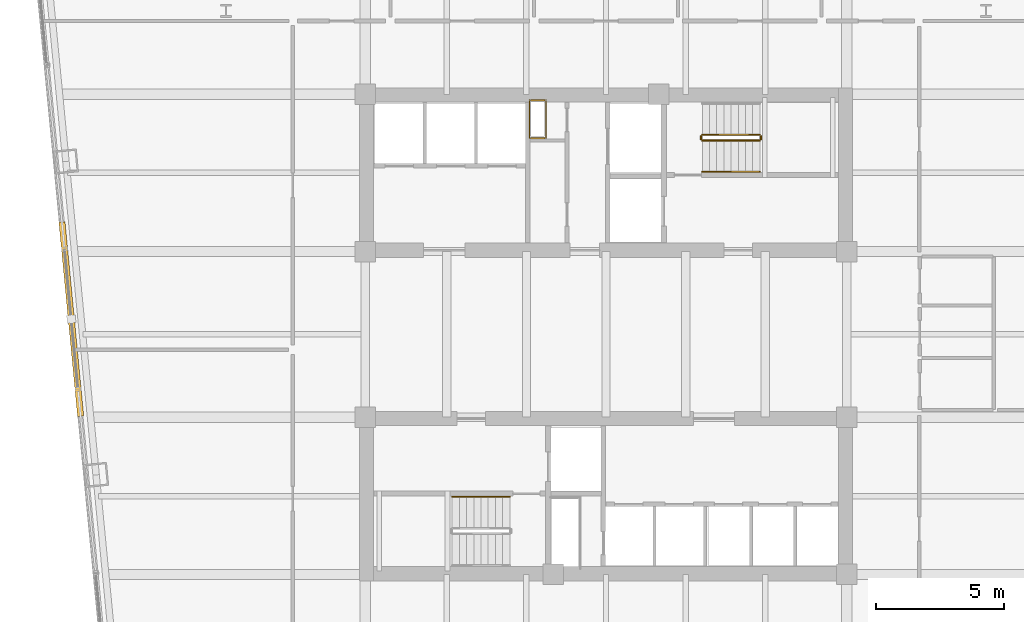
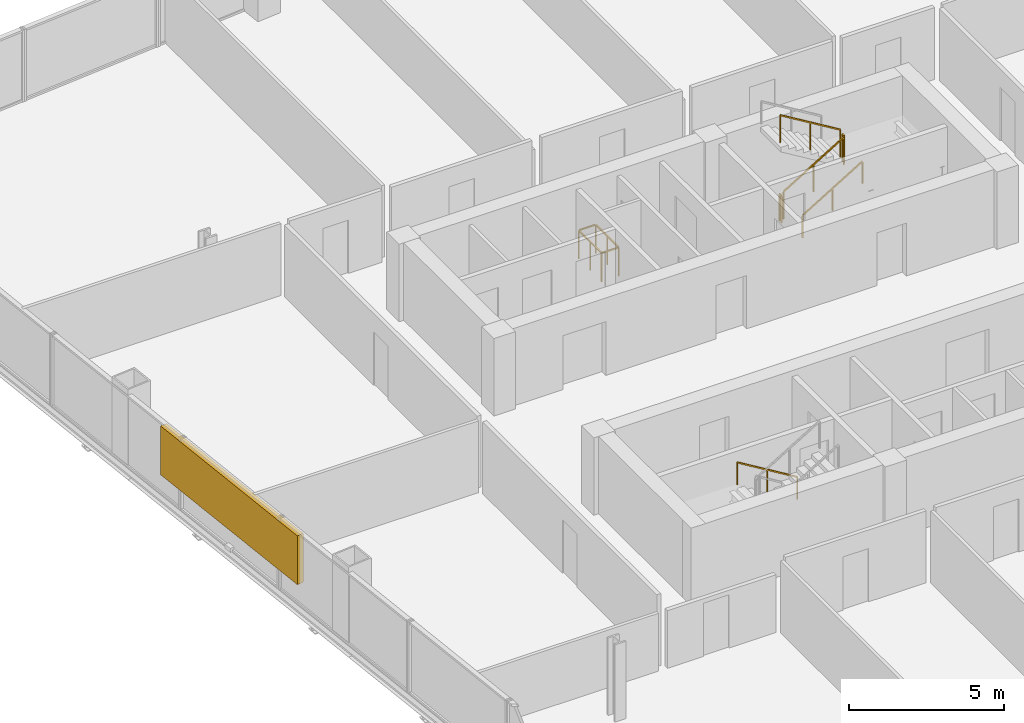
# One storey, part 26 of 27: 7 railings, 1 shading device.
"""IFC4 building model written with IfcOpenShell, lengths in metres."""

from ifc_helpers import new_model, si_unit, direction, frame, origin, origin_2d, place, context, subcontext, project, spatial, rectangle, extrude, material, type_object, element, save


model = new_model("IFC4")

# Units and contexts
model_context = context("Model", 3, precision=1e-05, world=origin(), true_north=direction((0.0, 1.0)))
body_context = subcontext(model_context, "Body", "Model", "MODEL_VIEW")
ifc_project = project(units=[si_unit("LENGTHUNIT", "METRE"), si_unit("AREAUNIT", "SQUARE_METRE"), si_unit("VOLUMEUNIT", "CUBIC_METRE"), si_unit("PLANEANGLEUNIT", "RADIAN"), si_unit("MASSUNIT", "GRAM", prefix="KILO")], contexts=[model_context])

# Site, building, storey
site_placement = place(None, origin())
site = spatial("IfcSite", under=ifc_project, at=site_placement, CompositionType="ELEMENT")
building_placement = place(site_placement, origin())
building = spatial("IfcBuilding", under=site, at=building_placement, Name="Qhalaya Broadcast Tower", CompositionType="ELEMENT")
storey_placement = place(building_placement, frame((0.0, 0.0, 84.699951171875)))
storey = spatial("IfcBuildingStorey", under=building, at=storey_placement, Name="L24", CompositionType="ELEMENT", Elevation=84.699951171875)

# Railings
ifc_material_1 = material(Name="Powder-Coated Galvanised Steel", Category="steel")
railing_type_1 = type_object("IfcRailingType", Name="Stair Wall Handrail 900", PredefinedType="HANDRAIL", material=ifc_material_1)
railing_1_placement = place(storey_placement, frame((3.75, 6.929931640625, 0.16943359375)))
element("IfcRailing", 1, at=railing_1_placement, inside=storey, type_object=railing_type_1, Name="L24 ST-1 Stair Handrail 1", PredefinedType="HANDRAIL", context=body_context, shape_type="SweptSolid", body=[
    extrude(rectangle(XDim=0.048095703125, YDim=0.048095703125, at=origin_2d()), frame((0.0, 0.0, 0.8759765625), z_axis=(0.855512035549, 0.0, 0.517782924622), x_axis=(0.0, 1.0, 0.0)), (0.0, 0.0, 1.0), 2.618408203125),
    extrude(rectangle(XDim=0.0419921875, YDim=0.0419921875, at=origin_2d()), origin(), (0.0, 0.0, 1.0), 0.849853515625),
    extrude(rectangle(XDim=0.0419921875, YDim=0.0419921875, at=origin_2d()), frame((1.1201171875, 0.0, 0.677734375)), (0.0, 0.0, 1.0), 0.849853515625),
    extrude(rectangle(XDim=0.0419921875, YDim=0.0419921875, at=origin_2d()), frame((2.239990234375, 0.0, 1.355712890625)), (0.0, 0.0, 1.0), 0.849853515625),
])
railing_2_placement = place(storey_placement, frame((-3.75, -5.72998046875, 0.16943359375)))
element("IfcRailing", 2, at=railing_2_placement, inside=storey, type_object=railing_type_1, Name="L24 ST-2 Stair Handrail 1", PredefinedType="HANDRAIL", context=body_context, shape_type="SweptSolid", body=[
    extrude(rectangle(XDim=0.048095703125, YDim=0.048095703125, at=origin_2d()), frame((0.0, 0.0, 0.8759765625), z_axis=(-0.855512035549, 0.0, 0.517782924622), x_axis=(0.0, -1.0, 0.0)), (0.0, 0.0, 1.0), 2.618408203125),
    extrude(rectangle(XDim=0.0419921875, YDim=0.0419921875, at=origin_2d()), origin(), (0.0, 0.0, 1.0), 0.849853515625),
    extrude(rectangle(XDim=0.0419921875, YDim=0.0419921875, at=origin_2d()), frame((-1.1201171875, 0.0, 0.677734375)), (0.0, 0.0, 1.0), 0.849853515625),
    extrude(rectangle(XDim=0.0419921875, YDim=0.0419921875, at=origin_2d()), frame((-2.239990234375, 0.0, 1.355712890625)), (0.0, 0.0, 1.0), 0.849853515625),
])
railing_type_2 = type_object("IfcRailingType", Name="Stair Well & Landing Guardrail 1100", PredefinedType="GUARDRAIL", material=ifc_material_1)
railing_3_placement = place(storey_placement, frame((-2.340087890625, 8.239990234375, 0.0)))
element("IfcRailing", 3, at=railing_3_placement, inside=storey, type_object=railing_type_2, Name="L24 Service Riser Opening Safety Guard NRSR", PredefinedType="GUARDRAIL", context=body_context, shape_type="SweptSolid", body=[
    extrude(rectangle(XDim=0.048095703125, YDim=0.048095703125, at=origin_2d()), frame((0.0, 0.02880859375, 1.1259765625), z_axis=(0.0, 1.0, 0.0), x_axis=(-1.0, 0.0, 0.0)), (0.0, 0.0, 1.0), 1.42236328125),
    extrude(rectangle(XDim=0.048095703125, YDim=0.048095703125, at=origin_2d()), frame((-0.02880859375, 1.47998046875, 1.1259765625), z_axis=(-1.0, 0.0, 0.0), x_axis=(0.0, -1.0, 0.0)), (0.0, 0.0, 1.0), 0.582275390625),
    extrude(rectangle(XDim=0.048095703125, YDim=0.048095703125, at=origin_2d()), frame((-0.639892578125, 1.451171875, 1.1259765625), z_axis=(0.0, -1.0, 0.0), x_axis=(1.0, 0.0, 0.0)), (0.0, 0.0, 1.0), 1.42236328125),
    extrude(rectangle(XDim=0.048095703125, YDim=0.048095703125, at=origin_2d()), frame((-0.611083984375, 0.0, 1.1259765625), z_axis=(1.0, 0.0, 0.0), x_axis=(0.0, 1.0, 0.0)), (0.0, 0.0, 1.0), 0.582275390625),
    extrude(rectangle(XDim=0.0419921875, YDim=0.0419921875, at=origin_2d()), origin(), (0.0, 0.0, 1.0), 1.099853515625),
    extrude(rectangle(XDim=0.0419921875, YDim=0.0419921875, at=origin_2d()), frame((0.0, 0.739990234375, 0.0)), (0.0, 0.0, 1.0), 1.099853515625),
    extrude(rectangle(XDim=0.0419921875, YDim=0.0419921875, at=origin_2d()), frame((0.0, 1.47998046875, 0.0)), (0.0, 0.0, 1.0), 1.099853515625),
    extrude(rectangle(XDim=0.0419921875, YDim=0.0419921875, at=origin_2d()), frame((-0.639892578125, 1.47998046875, 0.0)), (0.0, 0.0, 1.0), 1.099853515625),
    extrude(rectangle(XDim=0.0419921875, YDim=0.0419921875, at=origin_2d()), frame((-0.639892578125, 0.739990234375, 0.0)), (0.0, 0.0, 1.0), 1.099853515625),
    extrude(rectangle(XDim=0.0419921875, YDim=0.0419921875, at=origin_2d()), frame((-0.639892578125, 0.0, 0.0)), (0.0, 0.0, 1.0), 1.099853515625),
])
railing_4_placement = place(storey_placement, frame((3.75, 8.14990234375, 0.16943359375)))
element("IfcRailing", 4, at=railing_4_placement, inside=storey, type_object=railing_type_2, Name="L24 ST-1 Stair Guard 1", PredefinedType="GUARDRAIL", context=body_context, shape_type="SweptSolid", body=[
    extrude(rectangle(XDim=0.048095703125, YDim=0.048095703125, at=origin_2d()), frame((0.0, 0.0, 1.076171875), z_axis=(0.855512035549, 0.0, 0.517782924622), x_axis=(0.0, 1.0, 0.0)), (0.0, 0.0, 1.0), 2.618408203125),
    extrude(rectangle(XDim=0.0419921875, YDim=0.0419921875, at=origin_2d()), origin(), (0.0, 0.0, 1.0), 1.050048828125),
    extrude(rectangle(XDim=0.0419921875, YDim=0.0419921875, at=origin_2d()), frame((1.1201171875, 0.0, 0.677734375)), (0.0, 0.0, 1.0), 1.050048828125),
    extrude(rectangle(XDim=0.0419921875, YDim=0.0419921875, at=origin_2d()), frame((2.239990234375, 0.0, 1.355712890625)), (0.0, 0.0, 1.0), 1.050048828125),
])
railing_5_placement = place(storey_placement, frame((6.0400390625, 8.199951171875, 1.525146484375)))
element("IfcRailing", 5, at=railing_5_placement, inside=storey, type_object=railing_type_2, Name="L24 ST-1 Stair Guard 2", PredefinedType="GUARDRAIL", context=body_context, shape_type="SweptSolid", body=[
    extrude(rectangle(XDim=0.048095703125, YDim=0.048095703125, at=origin_2d()), frame((0.0, 0.0, 1.076171875), z_axis=(0.0, 1.0, 0.0), x_axis=(-1.0, 0.0, 0.0)), (0.0, 0.0, 1.0), 0.1201171875),
    extrude(rectangle(XDim=0.0419921875, YDim=0.0419921875, at=origin_2d()), origin(), (0.0, 0.0, 1.0), 1.050048828125),
    extrude(rectangle(XDim=0.0419921875, YDim=0.0419921875, at=origin_2d()), frame((0.0, 0.1201171875, 0.0)), (0.0, 0.0, 1.0), 1.050048828125),
])
railing_6_placement = place(storey_placement, frame((5.989990234375, 8.3701171875, 1.694580078125)))
element("IfcRailing", 6, at=railing_6_placement, inside=storey, type_object=railing_type_2, Name="L24 ST-1 Stair Guard 3", PredefinedType="GUARDRAIL", context=body_context, shape_type="SweptSolid", body=[
    extrude(rectangle(XDim=0.048095703125, YDim=0.048095703125, at=origin_2d()), frame((0.0, 0.0, 1.076171875), z_axis=(-0.855553338991, 0.0, 0.51771467445), x_axis=(0.0, -1.0, 0.0)), (0.0, 0.0, 1.0), 2.6181640625),
    extrude(rectangle(XDim=0.0419921875, YDim=0.0419921875, at=origin_2d()), origin(), (0.0, 0.0, 1.0), 1.050048828125),
    extrude(rectangle(XDim=0.0419921875, YDim=0.0419921875, at=origin_2d()), frame((-1.1201171875, 0.0, 0.677734375)), (0.0, 0.0, 1.0), 1.050048828125),
    extrude(rectangle(XDim=0.0419921875, YDim=0.0419921875, at=origin_2d()), frame((-2.239990234375, 0.0, 1.35546875)), (0.0, 0.0, 1.0), 1.050048828125),
])
railing_7_placement = place(storey_placement, frame((3.699951171875, 8.199951171875, 0.0)))
element("IfcRailing", 7, at=railing_7_placement, inside=storey, type_object=railing_type_2, Name="L24 ST-1 Stair Guard 4", PredefinedType="GUARDRAIL", context=body_context, shape_type="SweptSolid", body=[
    extrude(rectangle(XDim=0.048095703125, YDim=0.048095703125, at=origin_2d()), frame((0.0, 0.0, 1.076171875), z_axis=(0.0, 1.0, 0.0), x_axis=(-1.0, 0.0, 0.0)), (0.0, 0.0, 1.0), 0.1201171875),
    extrude(rectangle(XDim=0.0419921875, YDim=0.0419921875, at=origin_2d()), origin(), (0.0, 0.0, 1.0), 1.050048828125),
    extrude(rectangle(XDim=0.0419921875, YDim=0.0419921875, at=origin_2d()), frame((0.0, 0.1201171875, 0.0)), (0.0, 0.0, 1.0), 1.050048828125),
])

# Shading device
ifc_material_2 = material(Name="Fired Architectural Terracotta", Category="masonry")
shading_device_type = type_object("IfcShadingDeviceType", Name="Terracotta Baguette Solar Screen Assembly TBS-01", PredefinedType="USERDEFINED", material=ifc_material_2)
shading_device_placement = place(storey_placement, frame((-20.827392578125, 1.193603515625, 0.79248046875), z_axis=(0.0, 0.0, 1.0), x_axis=(0.09584575252, -0.995396198367, 0.0)))
element("IfcShadingDevice", 8, at=shading_device_placement, inside=storey, type_object=shading_device_type, Name="L24 Fired Terracotta Baguette Screen W", ObjectType="BAGUETTE", PredefinedType="USERDEFINED", context=body_context, shape_type="SweptSolid", body=[
    extrude(rectangle(XDim=7.60009765625, YDim=0.239990234375, at=origin_2d()), origin(), (0.0, 0.0, 1.0), 1.924072265625),
])

save(model, "model.ifc")
